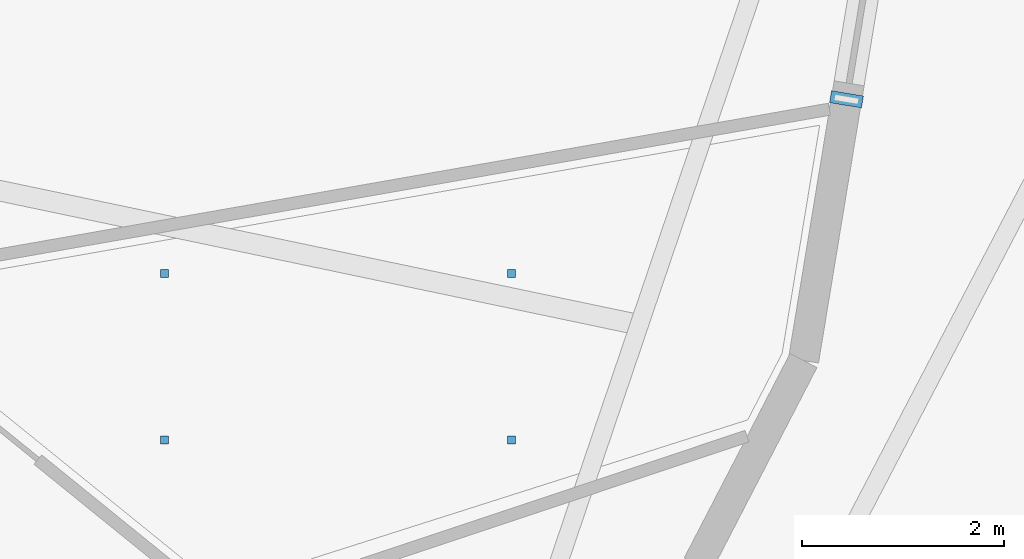
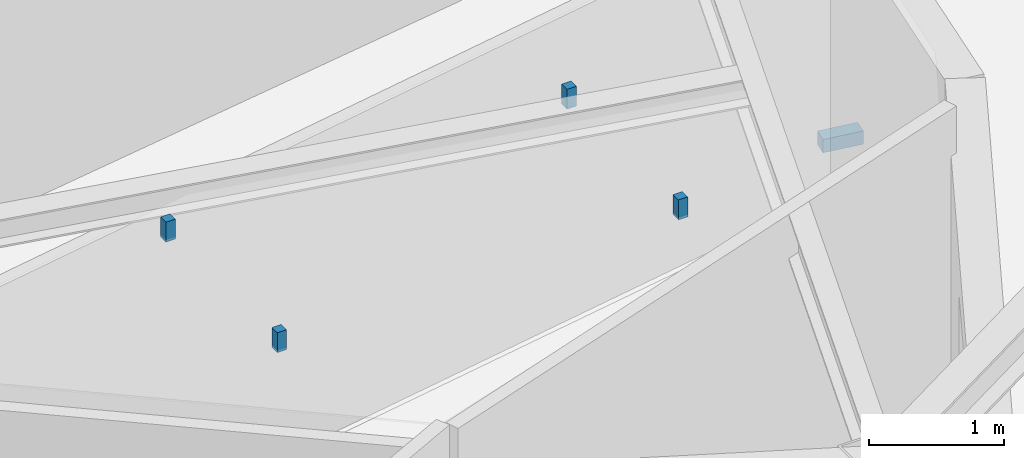
# One storey, part 12 of 16: 5 discrete accessories.
"""IFC4 building model written with IfcOpenShell, lengths in metres."""

from ifc_helpers import new_model, si_unit, direction, frame, origin, origin_2d, place, context, subcontext, project, spatial, rectangle, extrude, material, type_object, element, save


model = new_model("IFC4")

# Units and contexts
model_context = context("Model", 3, precision=1e-05, world=origin(), true_north=direction((0.0, 1.0)))
body_context = subcontext(model_context, "Body", "Model", "MODEL_VIEW")
ifc_project = project(units=[si_unit("LENGTHUNIT", "METRE"), si_unit("AREAUNIT", "SQUARE_METRE"), si_unit("VOLUMEUNIT", "CUBIC_METRE"), si_unit("PLANEANGLEUNIT", "RADIAN"), si_unit("MASSUNIT", "GRAM", prefix="KILO")], contexts=[model_context])

# Site, building, storey
site_placement = place(None, origin())
site = spatial("IfcSite", under=ifc_project, at=site_placement, CompositionType="ELEMENT")
building_placement = place(site_placement, origin())
building = spatial("IfcBuilding", under=site, at=building_placement, Name="Kolvaren Gate Tower and Convention Centre", CompositionType="ELEMENT")
storey_placement = place(building_placement, frame((0.0, 0.0, 219.5)))
storey = spatial("IfcBuildingStorey", under=building, at=storey_placement, Name="L58", CompositionType="ELEMENT", Elevation=219.5)

# Discrete accessories
ifc_material_1 = material(Name="Anodized Architectural Aluminium Alloy 6063-T6", Category="aluminium")
discrete_accessory_type_1 = type_object("IfcDiscreteAccessoryType", Name="ARCH-ACC-BRACKET-120", PredefinedType="BRACKET", material=ifc_material_1)
discrete_accessory_placement = place(storey_placement, frame((54.45703125, 24.460693359375, 0.2900390625), z_axis=(0.0, 0.0, 1.0), x_axis=(0.162375401515, 0.986729055508, 0.0)))
element("IfcDiscreteAccessory", 1, at=discrete_accessory_placement, inside=storey, type_object=discrete_accessory_type_1, Name="Ceramic Fin Wall Anchor Bracket FBK-L58-23", PredefinedType="BRACKET", context=body_context, shape_type="SweptSolid", body=[
    extrude(rectangle(XDim=0.1201171875, YDim=0.320068359375, at=origin_2d()), origin(), (0.0, 0.0, 1.0), 0.1201171875),
])
ifc_material_2 = material(Name="Brushed Stainless Steel Grade 316L", Category="steel")
discrete_accessory_type_2 = type_object("IfcDiscreteAccessoryType", Name="ARCH-ACC-HANGER-80", PredefinedType="BRACKET", material=ifc_material_2)
for number, where, z_axis, x_axis, name in (
    (2, (47.708984375, 21.087890625, 2.85009765625), (0.0, 0.0, 1.0), (1.0, 0.0, 0.0), "Resident Sauna and Wellness Spa Ceiling Suspension Hanger Clip 1"),
    (3, (51.14111328125, 21.087890625, 2.85009765625), (0.0, 0.0, 1.0), (1.0, 0.0, 0.0), "Resident Sauna and Wellness Spa Ceiling Suspension Hanger Clip 2"),
    (4, (47.708984375, 22.738037109375, 2.85009765625), (0.0, 0.0, 1.0), (1.0, 0.0, 0.0), "Resident Sauna and Wellness Spa Ceiling Suspension Hanger Clip 3"),
    (5, (51.14111328125, 22.738037109375, 2.85009765625), (0.0, 0.0, 1.0), (1.0, 0.0, 0.0), "Resident Sauna and Wellness Spa Ceiling Suspension Hanger Clip 4"),
):
    element("IfcDiscreteAccessory", number, at=place(storey_placement, frame(where, z_axis=z_axis, x_axis=x_axis)), inside=storey, type_object=discrete_accessory_type_2, Name=name, PredefinedType="BRACKET", context=body_context, shape_type="SweptSolid", body=[
        extrude(rectangle(XDim=0.080078125, YDim=0.080078125, at=origin_2d()), origin(), (0.0, 0.0, 1.0), 0.179931640625),
    ])

save(model, "model.ifc")
